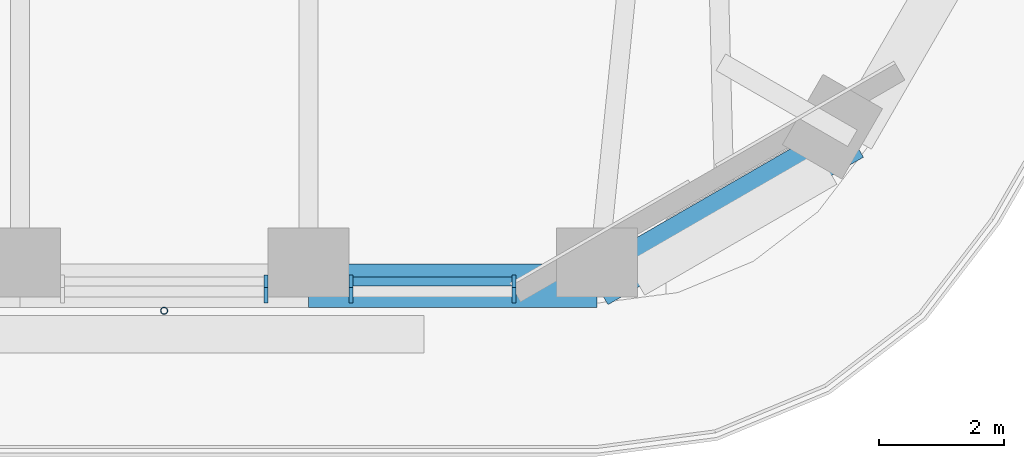
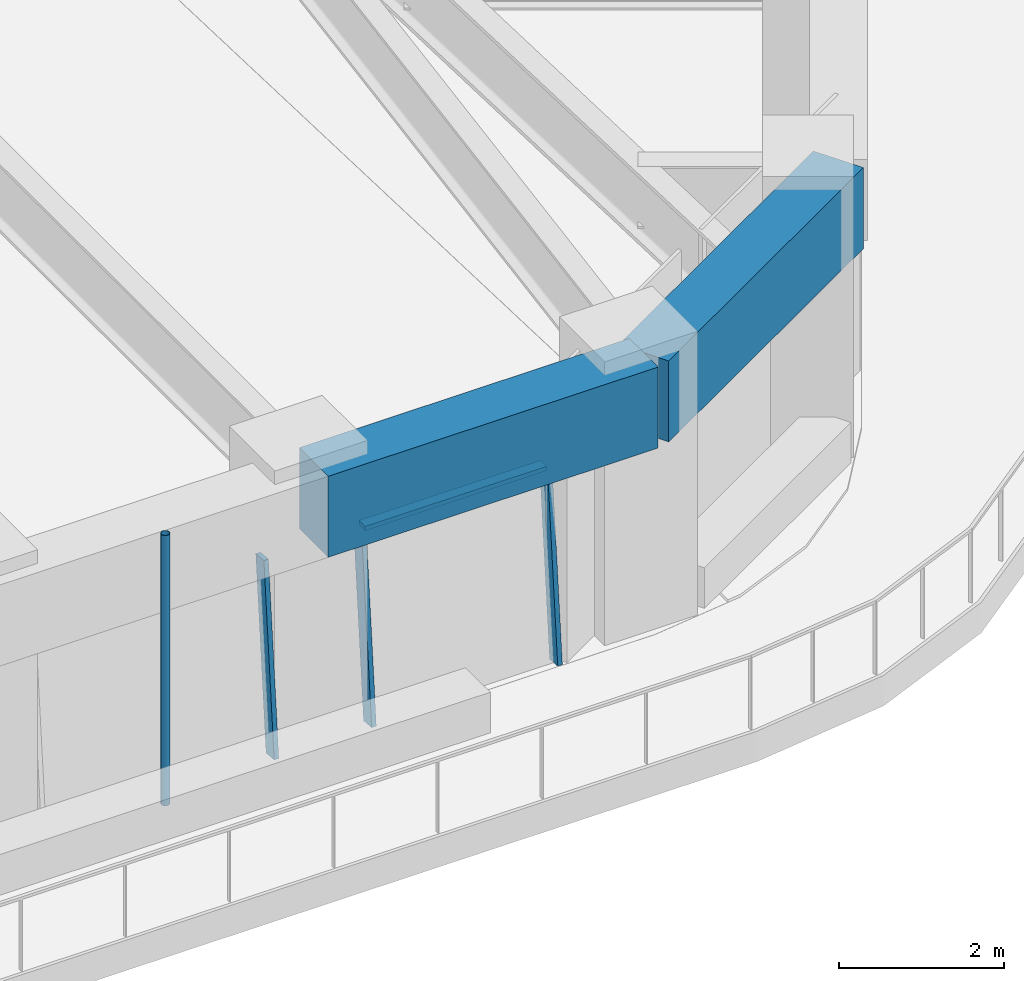
# One storey, part 4 of 20: 5 members, 2 beams, 2 elements without a shape of their own.
"""IFC4 building model written with IfcOpenShell, lengths in metres."""

import ifcopenshell
import ifcopenshell.guid

model = None  # the IFC model being written
_history = None  # IfcOwnerHistory: only IFC2X3 demands one
_inside = {}  # id of a spatial element -> (the spatial element, [elements in it])
_under = {}  # id of a project, library or spatial element -> (it, [spatial elements below it])
_declared = {}  # id of a project -> (the project, [libraries it declares])
_typed = {}  # id of a type object -> (the type object, [elements of that type])
_made_of = {}  # id of a material, layer set ... -> (it, [elements and type objects made of it])


def new_model(schema):
    """Start an empty IFC model of exactly this schema.

    Asked for "IFC4X3", IfcOpenShell would pick the latest addendum, in which some entities
    have other attributes; the version numbers below select the first issue.
    IFC2X3 requires an IfcOwnerHistory on every rooted entity: one is made here for all.
    """
    global model, _history
    if schema == "IFC4X3":
        model = ifcopenshell.file(schema_version=(4, 3, 0, 0))
    else:
        model = ifcopenshell.file(schema=schema)
    _inside.clear()
    _under.clear()
    _declared.clear()
    _typed.clear()
    _made_of.clear()
    _history = None
    if model.schema == "IFC2X3":
        org = make("IfcOrganization", Name="unknown")
        user = make(
            "IfcPersonAndOrganization",
            ThePerson=make("IfcPerson", FamilyName="unknown"),
            TheOrganization=org,
        )
        app = make(
            "IfcApplication",
            ApplicationDeveloper=org,
            Version="unknown",
            ApplicationFullName="unknown",
            ApplicationIdentifier="unknown",
        )
        _history = make(
            "IfcOwnerHistory",
            OwningUser=user,
            OwningApplication=app,
            ChangeAction="ADDED",
            CreationDate=0,
        )
    return model


def make(cls, **values):
    """One entity of the class cls with the attributes given. An attribute that is None is left unset."""
    return model.create_entity(
        cls, **{name: value for name, value in values.items() if value is not None}
    )


def rooted(cls, **values):
    """An entity with a GlobalId (a new one), such as an element, a storey or a relation."""
    return make(cls, GlobalId=ifcopenshell.guid.new(), OwnerHistory=_history, **values)


def si_unit(unit_type, name, prefix=None):
    """IfcSIUnit, for example si_unit("LENGTHUNIT", "METRE", prefix="MILLI")."""
    return make("IfcSIUnit", UnitType=unit_type, Prefix=prefix, Name=name)


def assignment(units):
    """IfcUnitAssignment: the units of a project."""
    return None if units is None else make("IfcUnitAssignment", Units=units)


def point(xyz):
    """IfcCartesianPoint."""
    return None if xyz is None else make("IfcCartesianPoint", Coordinates=xyz)


def direction(xyz):
    """IfcDirection."""
    return None if xyz is None else make("IfcDirection", DirectionRatios=xyz)


def frame(location, z_axis=None, x_axis=None):
    """IfcAxis2Placement3D, a coordinate frame: its origin and axes. An axis left out is left unset."""
    return make(
        "IfcAxis2Placement3D",
        Location=point(location),
        Axis=direction(z_axis),
        RefDirection=direction(x_axis),
    )


def frame_2d(location, x_axis=None):
    """IfcAxis2Placement2D, a coordinate frame in the plane: its origin and x axis."""
    return make(
        "IfcAxis2Placement2D", Location=point(location), RefDirection=direction(x_axis)
    )


def origin():
    """The frame at (0, 0, 0) with its axes left unset."""
    return frame((0.0, 0.0, 0.0))


def origin_2d():
    """The frame at (0, 0) in the plane with its x axis left unset."""
    return frame_2d((0.0, 0.0))


def place(relative_to, where):
    """IfcLocalPlacement: puts the frame where relative to a parent placement (None: the world)."""
    return make(
        "IfcLocalPlacement", PlacementRelTo=relative_to, RelativePlacement=where
    )


def context(
    kind, dimensions, precision=None, world=None, true_north=None, identifier=None
):
    """IfcGeometricRepresentationContext, for example the 3D "Model" context."""
    return make(
        "IfcGeometricRepresentationContext",
        ContextIdentifier=identifier,
        ContextType=kind,
        CoordinateSpaceDimension=dimensions,
        Precision=precision,
        WorldCoordinateSystem=world,
        TrueNorth=true_north,
    )


def subcontext(parent, identifier, kind, view, scale=None):
    """IfcGeometricRepresentationSubContext, for example "Body" below "Model"."""
    return make(
        "IfcGeometricRepresentationSubContext",
        ContextIdentifier=identifier,
        ContextType=kind,
        ParentContext=parent,
        TargetScale=scale,
        TargetView=view,
    )


def project(units=None, contexts=None):
    """IfcProject with its units and contexts."""
    return rooted(
        "IfcProject",
        Name="project",
        RepresentationContexts=contexts,
        UnitsInContext=assignment(units),
    )


def spatial(cls, under=None, at=None, **own):
    """A site, building, storey or space (cls), placed at a placement, below another one or the project."""
    s = rooted(cls, ObjectPlacement=at, **own)
    if under is not None:
        _under.setdefault(under.id(), (under, []))[1].append(s)
    return s


def profile(cls, at=None, kind="AREA", **sizes):
    """A parametric profile (cls). Its sizes go by their IFC names, for example OverallWidth=200.0."""
    return make(cls, ProfileType=kind, Position=at, **sizes)


def rectangle(**sizes):
    """IfcRectangleProfileDef."""
    return profile("IfcRectangleProfileDef", **sizes)


def hollow_circle(**sizes):
    """IfcCircleHollowProfileDef."""
    return profile("IfcCircleHollowProfileDef", **sizes)


def extrude(swept, where, along, depth):
    """IfcExtrudedAreaSolid: the profile swept, set in the frame where, extruded along a direction by depth."""
    return make(
        "IfcExtrudedAreaSolid",
        SweptArea=swept,
        Position=where,
        ExtrudedDirection=direction(along),
        Depth=depth,
    )


def shape(context_of_items, identifier, shape_type, items):
    """IfcShapeRepresentation: the items that make up one representation, for example the "Body"."""
    return make(
        "IfcShapeRepresentation",
        ContextOfItems=context_of_items,
        RepresentationIdentifier=identifier,
        RepresentationType=shape_type,
        Items=items,
    )


def material(Name=None, Category=None):
    """IfcMaterial."""
    return make("IfcMaterial", Name=Name, Category=Category)


def material_profile(
    of_material, cross_section, Name=None, Category=None, Priority=None
):
    """IfcMaterialProfile: a cross section and its material."""
    return make(
        "IfcMaterialProfile",
        Name=Name,
        Material=of_material,
        Profile=cross_section,
        Priority=Priority,
        Category=Category,
    )


def profile_set(profiles, Name=None, composite=None):
    """IfcMaterialProfileSet."""
    return make(
        "IfcMaterialProfileSet",
        Name=Name,
        MaterialProfiles=profiles,
        CompositeProfile=composite,
    )


def made_of(thing, what):
    """Note that an element or type object is made of a material, layer set ...; save() writes the relation."""
    if what is not None:
        _made_of.setdefault(what.id(), (what, []))[1].append(thing)
    return thing


def type_object(cls, material=None, **own):
    """A type object (cls), such as IfcWallType, which elements share."""
    return made_of(rooted(cls, **own), material)


def element(
    cls,
    number,
    at=None,
    inside=None,
    cuts=None,
    type_object=None,
    material=None,
    context=None,
    identifier="Body",
    shape_type=None,
    held_by="IfcProductDefinitionShape",
    body=None,
    shapes=None,
    **own,
):
    """One element of the class cls, such as IfcWall. Its Tag is "e" and its number.

    at: its placement. inside: the storey or other place that contains it. cuts: it is an
    opening in that element (IfcRelVoidsElement). A single representation is given by context,
    identifier, shape_type and body (its items); several are given by shapes. held_by: the class
    of the entity that holds the representations. save() writes the other relations.
    """
    e = rooted(cls, Tag="e%d" % number, ObjectPlacement=at, **own)
    if body is not None:
        shapes = [shape(context, identifier, shape_type, body)]
    if shapes is not None:
        e.Representation = make(held_by, Representations=shapes)
    if inside is not None:
        _inside.setdefault(inside.id(), (inside, []))[1].append(e)
    if cuts is not None:
        rooted(
            "IfcRelVoidsElement", RelatingBuildingElement=cuts, RelatedOpeningElement=e
        )
    if type_object is not None:
        _typed.setdefault(type_object.id(), (type_object, []))[1].append(e)
    return made_of(e, material)


def aggregate(whole, parts):
    """IfcRelAggregates: a whole, such as a stair, and the parts it consists of."""
    return rooted("IfcRelAggregates", RelatingObject=whole, RelatedObjects=parts)


def save(model, path):
    """Write the relations noted so far, then the file.

    IfcRelAggregates (storeys below a building ...), IfcRelContainedInSpatialStructure (elements
    in a storey), IfcRelDefinesByType, IfcRelAssociatesMaterial and IfcRelDeclares: one each for
    every whole, place, type object, material and project.
    """
    for whole, parts in _under.values():
        aggregate(whole, parts)
    for where, things in _inside.values():
        rooted(
            "IfcRelContainedInSpatialStructure",
            RelatedElements=things,
            RelatingStructure=where,
        )
    for kind, things in _typed.values():
        rooted("IfcRelDefinesByType", RelatedObjects=things, RelatingType=kind)
    for what, things in _made_of.values():
        rooted("IfcRelAssociatesMaterial", RelatedObjects=things, RelatingMaterial=what)
    for by, libraries in _declared.values():
        rooted("IfcRelDeclares", RelatingContext=by, RelatedDefinitions=libraries)
    model.write(path)


model = new_model("IFC4")

# Units and contexts
model_context = context("Model", 3, precision=1e-05, world=origin(), true_north=direction((0.0, 1.0)))
body_context = subcontext(model_context, "Body", "Model", "MODEL_VIEW")
ifc_project = project(units=[si_unit("LENGTHUNIT", "METRE"), si_unit("AREAUNIT", "SQUARE_METRE"), si_unit("VOLUMEUNIT", "CUBIC_METRE"), si_unit("PLANEANGLEUNIT", "RADIAN"), si_unit("MASSUNIT", "GRAM", prefix="KILO")], contexts=[model_context])

# Site, building, storey
site_placement = place(None, origin())
site = spatial("IfcSite", under=ifc_project, at=site_placement, CompositionType="ELEMENT")
building_placement = place(site_placement, origin())
building = spatial("IfcBuilding", under=site, at=building_placement, Name="Tarfa Lantern Tower", CompositionType="ELEMENT")
storey_placement = place(building_placement, frame((0.0, 0.0, 249.10009765625)))
storey = spatial("IfcBuildingStorey", under=building, at=storey_placement, Name="L56", CompositionType="ELEMENT", Elevation=249.10009765625)

# Curtain wall, member
ifc_material_1 = material(Name="Aluminium framed curtain wall", Category="aluminium")
curtain_wall_type = type_object("IfcCurtainWallType", Name="CW3 CANTED GLAZING HIGH ZONE 2800", PredefinedType="USERDEFINED", material=ifc_material_1)
curtain_wall_1_placement = place(storey_placement, origin())
curtain_wall_1 = element("IfcCurtainWall", 1, at=curtain_wall_1_placement, inside=storey, type_object=curtain_wall_type, Name="CW3 S L56", ObjectType="CURTAIN WALL", PredefinedType="USERDEFINED")
ifc_material_2 = material(Name="Aluminium mullion", Category="aluminium")
ifc_material_profile_1 = material_profile(ifc_material_2, rectangle(XDim=0.06494140625, YDim=0.199951171875, at=origin_2d()), Name="AL MULLION 65x200")
ifc_profile_set_1 = profile_set([ifc_material_profile_1], Name="Aluminium mullion")
member_type_1 = type_object("IfcMemberType", Name="CWM1 MULLION 65x200", PredefinedType="MULLION", material=ifc_profile_set_1)
member_1_placement = place(storey_placement, frame((8.55517578125, -28.89990234375, 0.0), z_axis=(0.0, 0.088938092736, 0.996037155763), x_axis=(-1.0, 0.0, 0.0)))
member_1 = element("IfcMember", 2, at=member_1_placement, type_object=member_type_1, Name="CW3 mullion 2", PredefinedType="MULLION", context=body_context, shape_type="SweptSolid", body=[
    extrude(rectangle(XDim=0.06494140625, YDim=0.199951171875, at=origin_2d()), origin(), (0.0, 0.0, 1.0), 2.81103515625),
])
aggregate(curtain_wall_1, [member_1])

# Curtain wall, members
curtain_wall_2_placement = place(storey_placement, origin())
curtain_wall_2 = element("IfcCurtainWall", 3, at=curtain_wall_2_placement, inside=storey, type_object=curtain_wall_type, Name="CW3 S L56", ObjectType="CURTAIN WALL", PredefinedType="USERDEFINED")
member_2_placement = place(storey_placement, frame((9.920166015625, -28.89990234375, 0.0), z_axis=(0.0, 0.088938092736, 0.996037155763), x_axis=(-1.0, 0.0, 0.0)))
member_2 = element("IfcMember", 4, at=member_2_placement, type_object=member_type_1, Name="CW3 mullion 1", PredefinedType="MULLION", context=body_context, shape_type="SweptSolid", body=[
    extrude(rectangle(XDim=0.06494140625, YDim=0.199951171875, at=origin_2d()), origin(), (0.0, 0.0, 1.0), 2.81103515625),
])
member_3_placement = place(storey_placement, frame((12.52392578125, -28.89990234375, 0.0), z_axis=(0.0, 0.088938092736, 0.996037155763), x_axis=(-1.0, 0.0, 0.0)))
member_3 = element("IfcMember", 5, at=member_3_placement, type_object=member_type_1, Name="CW3 mullion 2", PredefinedType="MULLION", context=body_context, shape_type="SweptSolid", body=[
    extrude(rectangle(XDim=0.06494140625, YDim=0.199951171875, at=origin_2d()), origin(), (0.0, 0.0, 1.0), 2.81103515625),
])
ifc_material_3 = material(Name="Aluminium transom", Category="aluminium")
ifc_material_profile_2 = material_profile(ifc_material_3, rectangle(XDim=0.14990234375, YDim=0.06494140625, at=origin_2d()), Name="AL TRANSOM 150x65")
ifc_profile_set_2 = profile_set([ifc_material_profile_2], Name="Aluminium transom")
member_type_2 = type_object("IfcMemberType", Name="CWT1 TRANSOM 150x65", PredefinedType="USERDEFINED", material=ifc_profile_set_2)
member_4_placement = place(storey_placement, frame((9.95263671875, -28.65283203125, 2.767333984375), z_axis=(1.0, 0.0, 0.0), x_axis=(0.0, 1.0, 0.0)))
member_4 = element("IfcMember", 6, at=member_4_placement, type_object=member_type_2, Name="CW3 transom 1.2", ObjectType="TRANSOM", PredefinedType="USERDEFINED", context=body_context, shape_type="SweptSolid", body=[
    extrude(rectangle(XDim=0.14990234375, YDim=0.06494140625, at=origin_2d()), origin(), (0.0, 0.0, 1.0), 2.538818359375),
])
aggregate(curtain_wall_2, [member_2, member_3, member_4])

# Beams
ifc_material_4 = material(Name="Concrete C80/95", Category="concrete")
ifc_material_profile_3 = material_profile(ifc_material_4, rectangle(XDim=0.699951171875, YDim=1.199951171875, at=origin_2d()), Name="RC 700x1200")
ifc_profile_set_3 = profile_set([ifc_material_profile_3], Name="Concrete C80/95")
beam_type = type_object("IfcBeamType", Name="EB3 RC 700x1200", PredefinedType="SPANDREL", material=ifc_profile_set_3)
beam_1_placement = place(storey_placement, frame((9.237548828125, -28.719970703125, 3.39990234375), z_axis=(1.0, 0.0, 0.0), x_axis=(0.0, 1.0, 0.0)))
element("IfcBeam", 7, at=beam_1_placement, inside=storey, type_object=beam_type, Name="Edge beam S5", PredefinedType="SPANDREL", context=body_context, shape_type="SweptSolid", body=[
    extrude(rectangle(XDim=0.699951171875, YDim=1.199951171875, at=origin_2d()), origin(), (0.0, 0.0, 1.0), 4.618896484375),
])
beam_2_placement = place(storey_placement, frame((13.8564453125, -28.719970703125, 3.39990234375), z_axis=(0.866038294681, 0.499977671647, 0.0), x_axis=(-0.499977671647, 0.866038294681, 0.0)))
element("IfcBeam", 8, at=beam_2_placement, inside=storey, type_object=beam_type, Name="Edge beam S6", PredefinedType="SPANDREL", context=body_context, shape_type="SweptSolid", body=[
    extrude(rectangle(XDim=0.699951171875, YDim=1.199951171875, at=origin_2d()), origin(), (0.0, 0.0, 1.0), 4.719970703125),
])

# Member
ifc_material_5 = material(Name="Steel S355", Category="steel")
ifc_material_profile_4 = material_profile(ifc_material_5, hollow_circle(Radius=0.05712890625, WallThickness=0.00634765625, at=origin_2d()), Name="CHS114.3x6.3")
ifc_profile_set_4 = profile_set([ifc_material_profile_4], Name="Steel S355")
member_type_3 = type_object("IfcMemberType", Name="TR1 GREEN WALL TRELLIS CHS114.3x6.3", PredefinedType="USERDEFINED", material=ifc_profile_set_4)
member_5_placement = place(storey_placement, frame((6.92822265625, -29.1201171875, 0.0), z_axis=(0.0, 0.0, 1.0), x_axis=(1.0, 0.0, 0.0)))
element("IfcMember", 9, at=member_5_placement, inside=storey, type_object=member_type_3, Name="Trellis post S 2", ObjectType="TRELLIS", PredefinedType="USERDEFINED", context=body_context, shape_type="SweptSolid", body=[
    extrude(hollow_circle(Radius=0.05712890625, WallThickness=0.00634765625, at=origin_2d()), origin(), (0.0, 0.0, 1.0), 4.0),
])

save(model, "model.ifc")
